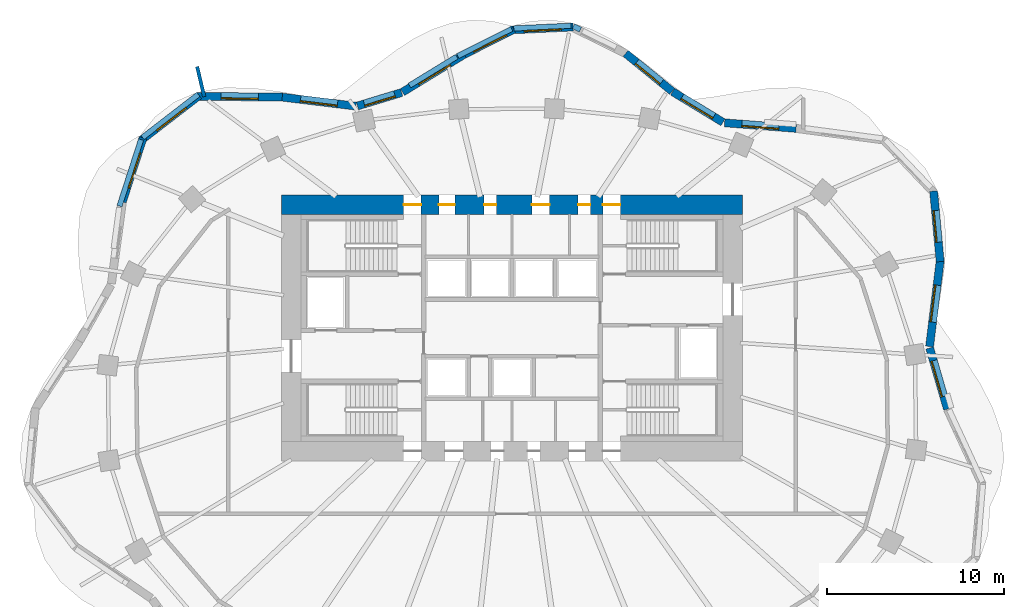
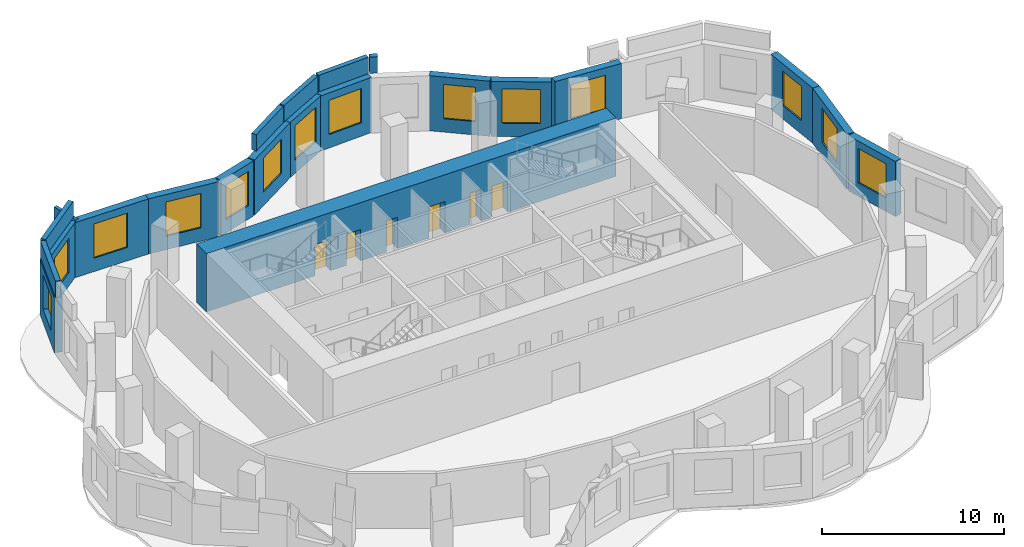
# One storey, part 6 of 8: 22 walls, 14 windows, 6 doors, 20 openings.
"""IFC4 building model written with IfcOpenShell, lengths in metres."""

from ifc_helpers import new_model, si_unit, direction, frame, frame_2d, origin, place, context, subcontext, project, spatial, rectangle, extrude, material, layer, layer_set, type_object, element, fill, save


model = new_model("IFC4")

# Units and contexts
model_context = context("Model", 3, precision=1e-05, world=origin(), true_north=direction((0.0, 1.0)))
body_context = subcontext(model_context, "Body", "Model", "MODEL_VIEW")
ifc_project = project(units=[si_unit("LENGTHUNIT", "METRE"), si_unit("AREAUNIT", "SQUARE_METRE"), si_unit("VOLUMEUNIT", "CUBIC_METRE"), si_unit("PLANEANGLEUNIT", "RADIAN"), si_unit("MASSUNIT", "GRAM", prefix="KILO")], contexts=[model_context])

# Site, building, storey
site_placement = place(None, origin())
site = spatial("IfcSite", under=ifc_project, at=site_placement, CompositionType="ELEMENT")
building_placement = place(site_placement, origin())
building = spatial("IfcBuilding", under=site, at=building_placement, Name="Rubra Terraces Tower", CompositionType="ELEMENT")
storey_placement = place(building_placement, frame((0.0, 0.0, 150.0)))
storey = spatial("IfcBuildingStorey", under=building, at=storey_placement, Name="L36", CompositionType="ELEMENT", Elevation=150.0)

# Wall, opening, window
ifc_material_1 = material(Name="Brick masonry red-brown", Category="masonry")
ifc_layer_1 = layer(ifc_material_1, 0.449951171875)
ifc_layer_set_1 = layer_set([ifc_layer_1], Name="Brick masonry red-brown")
wall_type_1 = type_object("IfcWallType", Name="Brick facade wall 450", PredefinedType="SOLIDWALL", material=ifc_layer_set_1)
wall_1_placement = place(storey_placement, frame((24.56689453125, -0.082275390625, 0.0), z_axis=(0.0, 0.0, 1.0), x_axis=(-0.279202919694, 0.960232122788, 0.0)))
wall_1 = element("IfcWall", 1, at=wall_1_placement, inside=storey, type_object=wall_type_1, Name="Facade wall L36 bay 1", PredefinedType="SOLIDWALL", context=body_context, shape_type="SweptSolid", body=[
    extrude(rectangle(XDim=3.587646484375, YDim=0.449951171875, at=frame_2d((1.7939453125, 0.0))), origin(), (0.0, 0.0, 1.0), 3.699951171875),
])
opening_1_placement = place(wall_1_placement, frame((0.743896484375, 0.0, 0.89990234375)))
opening_1 = element("IfcOpeningElement", 2, at=opening_1_placement, cuts=wall_1, Name="Opening W1B", PredefinedType="OPENING", context=body_context, shape_type="SweptSolid", body=[
    extrude(rectangle(XDim=2.10009765625, YDim=2.300048828125, at=frame_2d((1.050048828125, 1.14990234375))), frame((0.0, 0.23486328125, 0.0), z_axis=(0.0, -1.0, 0.0), x_axis=(1.0, 0.0, 0.0)), (0.0, 0.0, 1.0), 0.469970703125),
])
ifc_material_2 = material(Name="Clear glass in aluminium frame", Category="aluminium")
window_type_1 = type_object("IfcWindowType", Name="Fixed deep-set window tall storey 2100 x 2300", PartitioningType="SINGLE_PANEL", PredefinedType="WINDOW", material=ifc_material_2)
window_1_placement = place(opening_1_placement, origin())
window_1 = element("IfcWindow", 3, at=window_1_placement, inside=storey, type_object=window_type_1, Name="Window L36 bay 1", OverallHeight=2.300048828125, OverallWidth=2.10009765625, PartitioningType="SINGLE_PANEL", PredefinedType="WINDOW", context=body_context, shape_type="SweptSolid", body=[
    extrude(rectangle(XDim=2.10009765625, YDim=2.300048828125, at=frame_2d((1.050048828125, 1.14990234375))), frame((0.0, 0.135009765625, 0.0), z_axis=(0.0, -1.0, 0.0), x_axis=(1.0, 0.0, 0.0)), (0.0, 0.0, 1.0), 0.06005859375),
])
fill(opening_1, window_1)

wall_2_placement = place(storey_placement, frame((23.559814453125, 3.447021484375, 0.0), z_axis=(0.0, 0.0, 1.0), x_axis=(0.12231391248, 0.992491464353, 0.0)))
wall_2 = element("IfcWall", 4, at=wall_2_placement, inside=storey, type_object=wall_type_1, Name="Facade wall L36 bay 2", PredefinedType="SOLIDWALL", context=body_context, shape_type="SweptSolid", body=[
    extrude(rectangle(XDim=4.872314453125, YDim=0.449951171875, at=frame_2d((2.43603515625, 0.0))), origin(), (0.0, 0.0, 1.0), 3.699951171875),
])
opening_2_placement = place(wall_2_placement, frame((1.38623046875, 0.0, 0.89990234375)))
opening_2 = element("IfcOpeningElement", 5, at=opening_2_placement, cuts=wall_2, Name="Opening W1B", PredefinedType="OPENING", context=body_context, shape_type="SweptSolid", body=[
    extrude(rectangle(XDim=2.10009765625, YDim=2.300048828125, at=frame_2d((1.050048828125, 1.14990234375))), frame((0.0, 0.23486328125, 0.0), z_axis=(0.0, -1.0, 0.0), x_axis=(1.0, 0.0, 0.0)), (0.0, 0.0, 1.0), 0.469970703125),
])
window_2_placement = place(opening_2_placement, origin())
window_2 = element("IfcWindow", 6, at=window_2_placement, inside=storey, type_object=window_type_1, Name="Window L36 bay 2", OverallHeight=2.300048828125, OverallWidth=2.10009765625, PartitioningType="SINGLE_PANEL", PredefinedType="WINDOW", context=body_context, shape_type="SweptSolid", body=[
    extrude(rectangle(XDim=2.10009765625, YDim=2.300048828125, at=frame_2d((1.050048828125, 1.14990234375))), frame((0.0, 0.135009765625, 0.0), z_axis=(0.0, -1.0, 0.0), x_axis=(1.0, 0.0, 0.0)), (0.0, 0.0, 1.0), 0.06005859375),
])
fill(opening_2, window_2)

wall_3_placement = place(storey_placement, frame((24.155029296875, 8.234619140625, 0.0), z_axis=(0.0, 0.0, 1.0), x_axis=(-0.091874058945, 0.995770634882, 0.0)))
wall_3 = element("IfcWall", 7, at=wall_3_placement, inside=storey, type_object=wall_type_1, Name="Facade wall L36 bay 3", PredefinedType="SOLIDWALL", context=body_context, shape_type="SweptSolid", body=[
    extrude(rectangle(XDim=3.99658203125, YDim=0.449951171875, at=frame_2d((1.998291015625, 0.0))), origin(), (0.0, 0.0, 1.0), 3.699951171875),
])
opening_3_placement = place(wall_3_placement, frame((1.098388671875, 0.0, 0.89990234375)))
opening_3 = element("IfcOpeningElement", 8, at=opening_3_placement, cuts=wall_3, Name="Opening W6B", PredefinedType="OPENING", context=body_context, shape_type="SweptSolid", body=[
    extrude(rectangle(XDim=1.800048828125, YDim=2.300048828125, at=frame_2d((0.89990234375, 1.14990234375))), frame((0.0, 0.23486328125, 0.0), z_axis=(0.0, -1.0, 0.0), x_axis=(1.0, 0.0, 0.0)), (0.0, 0.0, 1.0), 0.469970703125),
])
window_type_2 = type_object("IfcWindowType", Name="Fixed deep-set window at wind fin tall storey 1800 x 2300", PartitioningType="SINGLE_PANEL", PredefinedType="WINDOW", material=ifc_material_2)
window_3_placement = place(opening_3_placement, origin())
window_3 = element("IfcWindow", 9, at=window_3_placement, inside=storey, type_object=window_type_2, Name="Window L36 bay 3", OverallHeight=2.300048828125, OverallWidth=1.800048828125, PartitioningType="SINGLE_PANEL", PredefinedType="WINDOW", context=body_context, shape_type="SweptSolid", body=[
    extrude(rectangle(XDim=1.800048828125, YDim=2.300048828125, at=frame_2d((0.89990234375, 1.14990234375))), frame((0.0, 0.135009765625, 0.0), z_axis=(0.0, -1.0, 0.0), x_axis=(1.0, 0.0, 0.0)), (0.0, 0.0, 1.0), 0.06005859375),
])
fill(opening_3, window_3)

wall_4_placement = place(storey_placement, frame((16.0302734375, 15.751953125, 0.0), z_axis=(0.0, 0.0, 1.0), x_axis=(-0.996967628157, 0.077817404267, 0.0)))
wall_4 = element("IfcWall", 10, at=wall_4_placement, inside=storey, type_object=wall_type_1, Name="Facade wall L36 bay 6", PredefinedType="SOLIDWALL", context=body_context, shape_type="SweptSolid", body=[
    extrude(rectangle(XDim=4.047119140625, YDim=0.449951171875, at=frame_2d((2.0234375, 0.0))), origin(), (0.0, 0.0, 1.0), 3.699951171875),
])
opening_4_placement = place(wall_4_placement, frame((0.9736328125, 0.0, 0.89990234375)))
opening_4 = element("IfcOpeningElement", 11, at=opening_4_placement, cuts=wall_4, Name="Opening W1B", PredefinedType="OPENING", context=body_context, shape_type="SweptSolid", body=[
    extrude(rectangle(XDim=2.10009765625, YDim=2.300048828125, at=frame_2d((1.050048828125, 1.14990234375))), frame((0.0, 0.23486328125, 0.0), z_axis=(0.0, -1.0, 0.0), x_axis=(1.0, 0.0, 0.0)), (0.0, 0.0, 1.0), 0.469970703125),
])
window_4_placement = place(opening_4_placement, origin())
window_4 = element("IfcWindow", 12, at=window_4_placement, inside=storey, type_object=window_type_1, Name="Window L36 bay 6", OverallHeight=2.300048828125, OverallWidth=2.10009765625, PartitioningType="SINGLE_PANEL", PredefinedType="WINDOW", context=body_context, shape_type="SweptSolid", body=[
    extrude(rectangle(XDim=2.10009765625, YDim=2.300048828125, at=frame_2d((1.050048828125, 1.14990234375))), frame((0.0, 0.135009765625, 0.0), z_axis=(0.0, -1.0, 0.0), x_axis=(1.0, 0.0, 0.0)), (0.0, 0.0, 1.0), 0.06005859375),
])
fill(opening_4, window_4)

wall_5_placement = place(storey_placement, frame((11.904541015625, 16.09619140625, 0.0), z_axis=(0.0, 0.0, 1.0), x_axis=(-0.854609476155, 0.519271261738, 0.0)))
wall_5 = element("IfcWall", 13, at=wall_5_placement, inside=storey, type_object=wall_type_1, Name="Facade wall L36 bay 7", PredefinedType="SOLIDWALL", context=body_context, shape_type="SweptSolid", body=[
    extrude(rectangle(XDim=3.324951171875, YDim=0.449951171875, at=frame_2d((1.66259765625, 0.0))), origin(), (0.0, 0.0, 1.0), 3.699951171875),
])
opening_5_placement = place(wall_5_placement, frame((0.6123046875, 0.0, 0.89990234375)))
opening_5 = element("IfcOpeningElement", 14, at=opening_5_placement, cuts=wall_5, Name="Opening W1B", PredefinedType="OPENING", context=body_context, shape_type="SweptSolid", body=[
    extrude(rectangle(XDim=2.10009765625, YDim=2.300048828125, at=frame_2d((1.050048828125, 1.14990234375))), frame((0.0, 0.23486328125, 0.0), z_axis=(0.0, -1.0, 0.0), x_axis=(1.0, 0.0, 0.0)), (0.0, 0.0, 1.0), 0.469970703125),
])
window_5_placement = place(opening_5_placement, origin())
window_5 = element("IfcWindow", 15, at=window_5_placement, inside=storey, type_object=window_type_1, Name="Window L36 bay 7", OverallHeight=2.300048828125, OverallWidth=2.10009765625, PartitioningType="SINGLE_PANEL", PredefinedType="WINDOW", context=body_context, shape_type="SweptSolid", body=[
    extrude(rectangle(XDim=2.10009765625, YDim=2.300048828125, at=frame_2d((1.050048828125, 1.14990234375))), frame((0.0, 0.135009765625, 0.0), z_axis=(0.0, -1.0, 0.0), x_axis=(1.0, 0.0, 0.0)), (0.0, 0.0, 1.0), 0.06005859375),
])
fill(opening_5, window_5)

wall_6_placement = place(storey_placement, frame((9.037109375, 17.84033203125, 0.0), z_axis=(0.0, 0.0, 1.0), x_axis=(-0.774810240287, 0.632193871804, 0.0)))
wall_6 = element("IfcWall", 16, at=wall_6_placement, inside=storey, type_object=wall_type_1, Name="Facade wall L36 bay 8", PredefinedType="SOLIDWALL", context=body_context, shape_type="SweptSolid", body=[
    extrude(rectangle(XDim=3.389404296875, YDim=0.449951171875, at=frame_2d((1.69482421875, 0.0))), origin(), (0.0, 0.0, 1.0), 3.699951171875),
])
opening_6_placement = place(wall_6_placement, frame((0.794677734375, 0.0, 0.89990234375)))
opening_6 = element("IfcOpeningElement", 17, at=opening_6_placement, cuts=wall_6, Name="Opening W6B", PredefinedType="OPENING", context=body_context, shape_type="SweptSolid", body=[
    extrude(rectangle(XDim=1.800048828125, YDim=2.300048828125, at=frame_2d((0.89990234375, 1.14990234375))), frame((0.0, 0.23486328125, 0.0), z_axis=(0.0, -1.0, 0.0), x_axis=(1.0, 0.0, 0.0)), (0.0, 0.0, 1.0), 0.469970703125),
])
window_6_placement = place(opening_6_placement, origin())
window_6 = element("IfcWindow", 18, at=window_6_placement, inside=storey, type_object=window_type_2, Name="Window L36 bay 8", OverallHeight=2.300048828125, OverallWidth=1.800048828125, PartitioningType="SINGLE_PANEL", PredefinedType="WINDOW", context=body_context, shape_type="SweptSolid", body=[
    extrude(rectangle(XDim=1.800048828125, YDim=2.300048828125, at=frame_2d((0.89990234375, 1.14990234375))), frame((0.0, 0.135009765625, 0.0), z_axis=(0.0, -1.0, 0.0), x_axis=(1.0, 0.0, 0.0)), (0.0, 0.0, 1.0), 0.06005859375),
])
fill(opening_6, window_6)

wall_7_placement = place(storey_placement, frame((3.447509765625, 21.47314453125, 0.0), z_axis=(0.0, 0.0, 1.0), x_axis=(-0.998906179907, -0.046759424106, 0.0)))
wall_7 = element("IfcWall", 19, at=wall_7_placement, inside=storey, type_object=wall_type_1, Name="Facade wall L36 bay 10", PredefinedType="SOLIDWALL", context=body_context, shape_type="SweptSolid", body=[
    extrude(rectangle(XDim=3.440673828125, YDim=0.449951171875, at=frame_2d((1.72021484375, 0.0))), origin(), (0.0, 0.0, 1.0), 3.699951171875),
])
opening_7_placement = place(wall_7_placement, frame((0.67041015625, 0.0, 0.89990234375)))
opening_7 = element("IfcOpeningElement", 20, at=opening_7_placement, cuts=wall_7, Name="Opening W1B", PredefinedType="OPENING", context=body_context, shape_type="SweptSolid", body=[
    extrude(rectangle(XDim=2.10009765625, YDim=2.300048828125, at=frame_2d((1.050048828125, 1.14990234375))), frame((0.0, 0.23486328125, 0.0), z_axis=(0.0, -1.0, 0.0), x_axis=(1.0, 0.0, 0.0)), (0.0, 0.0, 1.0), 0.469970703125),
])
window_7_placement = place(opening_7_placement, origin())
window_7 = element("IfcWindow", 21, at=window_7_placement, inside=storey, type_object=window_type_1, Name="Window L36 bay 10", OverallHeight=2.300048828125, OverallWidth=2.10009765625, PartitioningType="SINGLE_PANEL", PredefinedType="WINDOW", context=body_context, shape_type="SweptSolid", body=[
    extrude(rectangle(XDim=2.10009765625, YDim=2.300048828125, at=frame_2d((1.050048828125, 1.14990234375))), frame((0.0, 0.135009765625, 0.0), z_axis=(0.0, -1.0, 0.0), x_axis=(1.0, 0.0, 0.0)), (0.0, 0.0, 1.0), 0.06005859375),
])
fill(opening_7, window_7)

wall_8_placement = place(storey_placement, frame((0.10107421875, 21.3359375, 0.0), z_axis=(0.0, 0.0, 1.0), x_axis=(-0.893517109669, -0.449029146859, 0.0)))
wall_8 = element("IfcWall", 22, at=wall_8_placement, inside=storey, type_object=wall_type_1, Name="Facade wall L36 bay 11", PredefinedType="SOLIDWALL", context=body_context, shape_type="SweptSolid", body=[
    extrude(rectangle(XDim=3.1181640625, YDim=0.449951171875, at=frame_2d((1.55908203125, 0.0))), origin(), (0.0, 0.0, 1.0), 3.699951171875),
])
opening_8_placement = place(wall_8_placement, frame((0.509033203125, 0.0, 0.89990234375)))
opening_8 = element("IfcOpeningElement", 23, at=opening_8_placement, cuts=wall_8, Name="Opening W1B", PredefinedType="OPENING", context=body_context, shape_type="SweptSolid", body=[
    extrude(rectangle(XDim=2.10009765625, YDim=2.300048828125, at=frame_2d((1.050048828125, 1.14990234375))), frame((0.0, 0.23486328125, 0.0), z_axis=(0.0, -1.0, 0.0), x_axis=(1.0, 0.0, 0.0)), (0.0, 0.0, 1.0), 0.469970703125),
])
window_8_placement = place(opening_8_placement, origin())
window_8 = element("IfcWindow", 24, at=window_8_placement, inside=storey, type_object=window_type_1, Name="Window L36 bay 11", OverallHeight=2.300048828125, OverallWidth=2.10009765625, PartitioningType="SINGLE_PANEL", PredefinedType="WINDOW", context=body_context, shape_type="SweptSolid", body=[
    extrude(rectangle(XDim=2.10009765625, YDim=2.300048828125, at=frame_2d((1.050048828125, 1.14990234375))), frame((0.0, 0.135009765625, 0.0), z_axis=(0.0, -1.0, 0.0), x_axis=(1.0, 0.0, 0.0)), (0.0, 0.0, 1.0), 0.06005859375),
])
fill(opening_8, window_8)

wall_9_placement = place(storey_placement, frame((-2.668701171875, 19.945068359375, 0.0), z_axis=(0.0, 0.0, 1.0), x_axis=(-0.852919259017, -0.522042850346, 0.0)))
wall_9 = element("IfcWall", 25, at=wall_9_placement, inside=storey, type_object=wall_type_1, Name="Facade wall L36 bay 12", PredefinedType="SOLIDWALL", context=body_context, shape_type="SweptSolid", body=[
    extrude(rectangle(XDim=4.113525390625, YDim=0.449951171875, at=frame_2d((2.056640625, 0.0))), origin(), (0.0, 0.0, 1.0), 3.699951171875),
])
opening_9_placement = place(wall_9_placement, frame((1.0068359375, 0.0, 0.89990234375)))
opening_9 = element("IfcOpeningElement", 26, at=opening_9_placement, cuts=wall_9, Name="Opening W1B", PredefinedType="OPENING", context=body_context, shape_type="SweptSolid", body=[
    extrude(rectangle(XDim=2.10009765625, YDim=2.300048828125, at=frame_2d((1.050048828125, 1.14990234375))), frame((0.0, 0.23486328125, 0.0), z_axis=(0.0, -1.0, 0.0), x_axis=(1.0, 0.0, 0.0)), (0.0, 0.0, 1.0), 0.469970703125),
])
window_9_placement = place(opening_9_placement, origin())
window_9 = element("IfcWindow", 27, at=window_9_placement, inside=storey, type_object=window_type_1, Name="Window L36 bay 12", OverallHeight=2.300048828125, OverallWidth=2.10009765625, PartitioningType="SINGLE_PANEL", PredefinedType="WINDOW", context=body_context, shape_type="SweptSolid", body=[
    extrude(rectangle(XDim=2.10009765625, YDim=2.300048828125, at=frame_2d((1.050048828125, 1.14990234375))), frame((0.0, 0.135009765625, 0.0), z_axis=(0.0, -1.0, 0.0), x_axis=(1.0, 0.0, 0.0)), (0.0, 0.0, 1.0), 0.06005859375),
])
fill(opening_9, window_9)

wall_10_placement = place(storey_placement, frame((-6.229248046875, 17.774169921875, 0.0), z_axis=(0.0, 0.0, 1.0), x_axis=(-0.95663749396, -0.291281144515, 0.0)))
wall_10 = element("IfcWall", 28, at=wall_10_placement, inside=storey, type_object=wall_type_1, Name="Facade wall L36 bay 13", PredefinedType="SOLIDWALL", context=body_context, shape_type="SweptSolid", body=[
    extrude(rectangle(XDim=2.600830078125, YDim=0.449951171875, at=frame_2d((1.30029296875, 0.0))), origin(), (0.0, 0.0, 1.0), 3.699951171875),
])
opening_10_placement = place(wall_10_placement, frame((0.400390625, 0.0, 0.89990234375)))
opening_10 = element("IfcOpeningElement", 29, at=opening_10_placement, cuts=wall_10, Name="Opening W6B", PredefinedType="OPENING", context=body_context, shape_type="SweptSolid", body=[
    extrude(rectangle(XDim=1.800048828125, YDim=2.300048828125, at=frame_2d((0.89990234375, 1.14990234375))), frame((0.0, 0.23486328125, 0.0), z_axis=(0.0, -1.0, 0.0), x_axis=(1.0, 0.0, 0.0)), (0.0, 0.0, 1.0), 0.469970703125),
])
window_10_placement = place(opening_10_placement, origin())
window_10 = element("IfcWindow", 30, at=window_10_placement, inside=storey, type_object=window_type_2, Name="Window L36 bay 13", OverallHeight=2.300048828125, OverallWidth=1.800048828125, PartitioningType="SINGLE_PANEL", PredefinedType="WINDOW", context=body_context, shape_type="SweptSolid", body=[
    extrude(rectangle(XDim=1.800048828125, YDim=2.300048828125, at=frame_2d((0.89990234375, 1.14990234375))), frame((0.0, 0.135009765625, 0.0), z_axis=(0.0, -1.0, 0.0), x_axis=(1.0, 0.0, 0.0)), (0.0, 0.0, 1.0), 0.06005859375),
])
fill(opening_10, window_10)

wall_11_placement = place(storey_placement, frame((-8.806884765625, 17.00830078125, 0.0), z_axis=(0.0, 0.0, 1.0), x_axis=(-0.992654419289, 0.120984312483, 0.0)))
wall_11 = element("IfcWall", 31, at=wall_11_placement, inside=storey, type_object=wall_type_1, Name="Facade wall L36 bay 14", PredefinedType="SOLIDWALL", context=body_context, shape_type="SweptSolid", body=[
    extrude(rectangle(XDim=4.187255859375, YDim=0.449951171875, at=frame_2d((2.09375, 0.0))), origin(), (0.0, 0.0, 1.0), 3.699951171875),
])
opening_11_placement = place(wall_11_placement, frame((1.043701171875, 0.0, 0.89990234375)))
opening_11 = element("IfcOpeningElement", 32, at=opening_11_placement, cuts=wall_11, Name="Opening W1B", PredefinedType="OPENING", context=body_context, shape_type="SweptSolid", body=[
    extrude(rectangle(XDim=2.10009765625, YDim=2.300048828125, at=frame_2d((1.050048828125, 1.14990234375))), frame((0.0, 0.23486328125, 0.0), z_axis=(0.0, -1.0, 0.0), x_axis=(1.0, 0.0, 0.0)), (0.0, 0.0, 1.0), 0.469970703125),
])
window_11_placement = place(opening_11_placement, origin())
window_11 = element("IfcWindow", 33, at=window_11_placement, inside=storey, type_object=window_type_1, Name="Window L36 bay 14", OverallHeight=2.300048828125, OverallWidth=2.10009765625, PartitioningType="SINGLE_PANEL", PredefinedType="WINDOW", context=body_context, shape_type="SweptSolid", body=[
    extrude(rectangle(XDim=2.10009765625, YDim=2.300048828125, at=frame_2d((1.050048828125, 1.14990234375))), frame((0.0, 0.135009765625, 0.0), z_axis=(0.0, -1.0, 0.0), x_axis=(1.0, 0.0, 0.0)), (0.0, 0.0, 1.0), 0.06005859375),
])
fill(opening_11, window_11)

wall_12_placement = place(storey_placement, frame((-12.93896484375, 17.513671875, 0.0), z_axis=(0.0, 0.0, 1.0), x_axis=(-0.999950280333, 0.00997180335, 0.0)))
wall_12 = element("IfcWall", 34, at=wall_12_placement, inside=storey, type_object=wall_type_1, Name="Facade wall L36 bay 15", PredefinedType="SOLIDWALL", context=body_context, shape_type="SweptSolid", body=[
    extrude(rectangle(XDim=4.84765625, YDim=0.449951171875, at=frame_2d((2.423828125, 0.0))), origin(), (0.0, 0.0, 1.0), 3.699951171875),
])
opening_12_placement = place(wall_12_placement, frame((1.373779296875, 0.0, 0.89990234375)))
opening_12 = element("IfcOpeningElement", 35, at=opening_12_placement, cuts=wall_12, Name="Opening W1B", PredefinedType="OPENING", context=body_context, shape_type="SweptSolid", body=[
    extrude(rectangle(XDim=2.10009765625, YDim=2.300048828125, at=frame_2d((1.050048828125, 1.14990234375))), frame((0.0, 0.23486328125, 0.0), z_axis=(0.0, -1.0, 0.0), x_axis=(1.0, 0.0, 0.0)), (0.0, 0.0, 1.0), 0.469970703125),
])
window_12_placement = place(opening_12_placement, origin())
window_12 = element("IfcWindow", 36, at=window_12_placement, inside=storey, type_object=window_type_1, Name="Window L36 bay 15", OverallHeight=2.300048828125, OverallWidth=2.10009765625, PartitioningType="SINGLE_PANEL", PredefinedType="WINDOW", context=body_context, shape_type="SweptSolid", body=[
    extrude(rectangle(XDim=2.10009765625, YDim=2.300048828125, at=frame_2d((1.050048828125, 1.14990234375))), frame((0.0, 0.135009765625, 0.0), z_axis=(0.0, -1.0, 0.0), x_axis=(1.0, 0.0, 0.0)), (0.0, 0.0, 1.0), 0.06005859375),
])
fill(opening_12, window_12)

wall_13_placement = place(storey_placement, frame((-17.6494140625, 17.60888671875, 0.0), z_axis=(0.0, 0.0, 1.0), x_axis=(-0.791693388686, -0.610918634771, 0.0)))
wall_13 = element("IfcWall", 37, at=wall_13_placement, inside=storey, type_object=wall_type_1, Name="Facade wall L36 bay 16", PredefinedType="SOLIDWALL", context=body_context, shape_type="SweptSolid", body=[
    extrude(rectangle(XDim=4.10009765625, YDim=0.449951171875, at=frame_2d((2.050048828125, 0.0))), origin(), (0.0, 0.0, 1.0), 3.699951171875),
])
opening_13_placement = place(wall_13_placement, frame((1.0, 0.0, 0.89990234375)))
opening_13 = element("IfcOpeningElement", 38, at=opening_13_placement, cuts=wall_13, Name="Opening W1B", PredefinedType="OPENING", context=body_context, shape_type="SweptSolid", body=[
    extrude(rectangle(XDim=2.10009765625, YDim=2.300048828125, at=frame_2d((1.050048828125, 1.14990234375))), frame((0.0, 0.23486328125, 0.0), z_axis=(0.0, -1.0, 0.0), x_axis=(1.0, 0.0, 0.0)), (0.0, 0.0, 1.0), 0.469970703125),
])
window_13_placement = place(opening_13_placement, origin())
window_13 = element("IfcWindow", 39, at=window_13_placement, inside=storey, type_object=window_type_1, Name="Window L36 bay 16", OverallHeight=2.300048828125, OverallWidth=2.10009765625, PartitioningType="SINGLE_PANEL", PredefinedType="WINDOW", context=body_context, shape_type="SweptSolid", body=[
    extrude(rectangle(XDim=2.10009765625, YDim=2.300048828125, at=frame_2d((1.050048828125, 1.14990234375))), frame((0.0, 0.135009765625, 0.0), z_axis=(0.0, -1.0, 0.0), x_axis=(1.0, 0.0, 0.0)), (0.0, 0.0, 1.0), 0.06005859375),
])
fill(opening_13, window_13)

wall_14_placement = place(storey_placement, frame((-20.819091796875, 15.212646484375, 0.0), z_axis=(0.0, 0.0, 1.0), x_axis=(-0.308282259578, -0.95129493241, 0.0)))
wall_14 = element("IfcWall", 40, at=wall_14_placement, inside=storey, type_object=wall_type_1, Name="Facade wall L36 bay 17", PredefinedType="SOLIDWALL", context=body_context, shape_type="SweptSolid", body=[
    extrude(rectangle(XDim=3.78466796875, YDim=0.449951171875, at=frame_2d((1.892333984375, 0.0))), origin(), (0.0, 0.0, 1.0), 3.699951171875),
])
opening_14_placement = place(wall_14_placement, frame((0.84228515625, 0.0, 0.89990234375)))
opening_14 = element("IfcOpeningElement", 41, at=opening_14_placement, cuts=wall_14, Name="Opening W1B", PredefinedType="OPENING", context=body_context, shape_type="SweptSolid", body=[
    extrude(rectangle(XDim=2.10009765625, YDim=2.300048828125, at=frame_2d((1.050048828125, 1.14990234375))), frame((0.0, 0.23486328125, 0.0), z_axis=(0.0, -1.0, 0.0), x_axis=(1.0, 0.0, 0.0)), (0.0, 0.0, 1.0), 0.469970703125),
])
window_14_placement = place(opening_14_placement, origin())
window_14 = element("IfcWindow", 42, at=window_14_placement, inside=storey, type_object=window_type_1, Name="Window L36 bay 17", OverallHeight=2.300048828125, OverallWidth=2.10009765625, PartitioningType="SINGLE_PANEL", PredefinedType="WINDOW", context=body_context, shape_type="SweptSolid", body=[
    extrude(rectangle(XDim=2.10009765625, YDim=2.300048828125, at=frame_2d((1.050048828125, 1.14990234375))), frame((0.0, 0.135009765625, 0.0), z_axis=(0.0, -1.0, 0.0), x_axis=(1.0, 0.0, 0.0)), (0.0, 0.0, 1.0), 0.06005859375),
])
fill(opening_14, window_14)

# Walls
ifc_layer_2 = layer(ifc_material_1, 0.300048828125)
ifc_layer_set_2 = layer_set([ifc_layer_2], Name="Brick masonry red-brown")
wall_type_2 = type_object("IfcWallType", Name="Brick parapet 300", PredefinedType="PARAPET", material=ifc_layer_set_2)
wall_15_placement = place(storey_placement, frame((3.864501953125, 21.319580078125, 3.89990234375), z_axis=(0.0, 0.0, 1.0), x_axis=(-0.896619334778, 0.442802177617, 0.0)))
element("IfcWall", 43, at=wall_15_placement, inside=storey, type_object=wall_type_2, Name="Parapet L36 bay 9", PredefinedType="PARAPET", context=body_context, shape_type="SweptSolid", body=[
    extrude(rectangle(XDim=0.443359375, YDim=0.300048828125, at=frame_2d((0.2216796875, 0.0))), origin(), (0.0, 0.0, 1.0), 1.10009765625),
])
wall_16_placement = place(storey_placement, frame((3.336669921875, 21.543212890625, 3.89990234375), z_axis=(0.0, 0.0, 1.0), x_axis=(-0.998904330634, -0.046798912812, 0.0)))
element("IfcWall", 44, at=wall_16_placement, inside=storey, type_object=wall_type_2, Name="Parapet L36 bay 10", PredefinedType="PARAPET", context=body_context, shape_type="SweptSolid", body=[
    extrude(rectangle(XDim=3.23974609375, YDim=0.300048828125, at=frame_2d((1.619873046875, 0.0))), origin(), (0.0, 0.0, 1.0), 1.10009765625),
])
wall_17_placement = place(storey_placement, frame((-0.016357421875, 21.36083984375, 3.89990234375), z_axis=(0.0, 0.0, 1.0), x_axis=(-0.893520711687, -0.44902197918, 0.0)))
element("IfcWall", 45, at=wall_17_placement, inside=storey, type_object=wall_type_2, Name="Parapet L36 bay 11", PredefinedType="PARAPET", context=body_context, shape_type="SweptSolid", body=[
    extrude(rectangle(XDim=3.400390625, YDim=0.300048828125, at=frame_2d((1.7001953125, 0.0))), origin(), (0.0, 0.0, 1.0), 1.10009765625),
])
wall_18_placement = place(storey_placement, frame((-3.117919921875, 19.798828125, 3.89990234375), z_axis=(0.0, 0.0, 1.0), x_axis=(-0.852922319554, -0.522037849975, 0.0)))
element("IfcWall", 46, at=wall_18_placement, inside=storey, type_object=wall_type_2, Name="Parapet L36 bay 12", PredefinedType="PARAPET", context=body_context, shape_type="SweptSolid", body=[
    extrude(rectangle(XDim=3.1240234375, YDim=0.300048828125, at=frame_2d((1.56201171875, 0.0))), origin(), (0.0, 0.0, 1.0), 1.10009765625),
])
wall_19_placement = place(storey_placement, frame((-17.697998046875, 17.666259765625, 3.89990234375), z_axis=(0.0, 0.0, 1.0), x_axis=(-0.791652356246, -0.610971805282, 0.0)))
element("IfcWall", 47, at=wall_19_placement, inside=storey, type_object=wall_type_2, Name="Parapet L36 bay 16", PredefinedType="PARAPET", context=body_context, shape_type="SweptSolid", body=[
    extrude(rectangle(XDim=3.973876953125, YDim=0.300048828125, at=frame_2d((1.98681640625, 0.0))), origin(), (0.0, 0.0, 1.0), 1.10009765625),
])
wall_20_placement = place(storey_placement, frame((-20.92822265625, 15.118896484375, 3.89990234375), z_axis=(0.0, 0.0, 1.0), x_axis=(-0.30831369753, -0.951284743868, 0.0)))
element("IfcWall", 48, at=wall_20_placement, inside=storey, type_object=wall_type_2, Name="Parapet L36 bay 17", PredefinedType="PARAPET", context=body_context, shape_type="SweptSolid", body=[
    extrude(rectangle(XDim=3.938720703125, YDim=0.300048828125, at=frame_2d((1.96923828125, 0.0))), origin(), (0.0, 0.0, 1.0), 1.10009765625),
])
ifc_layer_3 = layer(ifc_material_1, 0.199951171875)
ifc_layer_set_3 = layer_set([ifc_layer_3], Name="Brick masonry red-brown")
wall_type_3 = type_object("IfcWallType", Name="Brick wind fin 200", PredefinedType="SOLIDWALL", material=ifc_layer_set_3)
wall_21_placement = place(storey_placement, frame((-17.362060546875, 17.5380859375, 0.0), z_axis=(0.0, 0.0, 1.0), x_axis=(-0.230469860183, 0.973079464148, 0.0)))
element("IfcWall", 49, at=wall_21_placement, inside=storey, type_object=wall_type_3, Name="Wind fin L36 8", PredefinedType="SOLIDWALL", context=body_context, shape_type="SweptSolid", body=[
    extrude(rectangle(XDim=1.75, YDim=0.199951171875, at=frame_2d((0.875, 0.0))), origin(), (0.0, 0.0, 1.0), 3.699951171875),
])

# Wall, openings, doors
ifc_material_3 = material(Name="Concrete C60", Category="concrete")
ifc_layer_4 = layer(ifc_material_3, 1.10009765625)
ifc_layer_set_4 = layer_set([ifc_layer_4], Name="Concrete C60")
wall_type_4 = type_object("IfcWallType", Name="CORE WALL 1100 C60", PredefinedType="SHEAR", material=ifc_layer_set_4)
wall_22_placement = place(storey_placement, frame((-13.0, 11.449951171875, 0.0), z_axis=(0.0, 0.0, 1.0), x_axis=(1.0, 0.0, 0.0)))
wall_22 = element("IfcWall", 50, at=wall_22_placement, inside=storey, type_object=wall_type_4, Name="CORE WALL N L36", PredefinedType="SHEAR", context=body_context, shape_type="SweptSolid", body=[
    extrude(rectangle(XDim=26.0, YDim=1.10009765625, at=frame_2d((13.0, 0.0))), origin(), (0.0, 0.0, 1.0), 3.89990234375),
])
opening_15_placement = place(wall_22_placement, frame((8.875, 0.0, 0.0)))
opening_15 = element("IfcOpeningElement", 51, at=opening_15_placement, cuts=wall_22, Name="Opening L36.C19", PredefinedType="OPENING", context=body_context, shape_type="SweptSolid", body=[
    extrude(rectangle(XDim=0.89990234375, YDim=2.10009765625, at=frame_2d((0.449951171875, 1.050048828125))), frame((0.0, 0.56005859375, 0.0), z_axis=(0.0, -1.0, 0.0), x_axis=(1.0, 0.0, 0.0)), (0.0, 0.0, 1.0), 1.1201171875),
])
opening_16_placement = place(wall_22_placement, frame((11.425048828125, 0.0, 0.0)))
opening_16 = element("IfcOpeningElement", 52, at=opening_16_placement, cuts=wall_22, Name="Opening L36.C20", PredefinedType="OPENING", context=body_context, shape_type="SweptSolid", body=[
    extrude(rectangle(XDim=0.699951171875, YDim=2.10009765625, at=frame_2d((0.35009765625, 1.050048828125))), frame((0.0, 0.56005859375, 0.0), z_axis=(0.0, -1.0, 0.0), x_axis=(1.0, 0.0, 0.0)), (0.0, 0.0, 1.0), 1.1201171875),
])
opening_17_placement = place(wall_22_placement, frame((14.125, 0.0, 0.0)))
opening_17 = element("IfcOpeningElement", 53, at=opening_17_placement, cuts=wall_22, Name="Opening L36.C21", PredefinedType="OPENING", context=body_context, shape_type="SweptSolid", body=[
    extrude(rectangle(XDim=1.0, YDim=2.10009765625, at=frame_2d((0.5, 1.050048828125))), frame((0.0, 0.56005859375, 0.0), z_axis=(0.0, -1.0, 0.0), x_axis=(1.0, 0.0, 0.0)), (0.0, 0.0, 1.0), 1.1201171875),
])
opening_18_placement = place(wall_22_placement, frame((16.72509765625, 0.0, 0.0)))
opening_18 = element("IfcOpeningElement", 54, at=opening_18_placement, cuts=wall_22, Name="Opening L36.C22", PredefinedType="OPENING", context=body_context, shape_type="SweptSolid", body=[
    extrude(rectangle(XDim=0.699951171875, YDim=2.10009765625, at=frame_2d((0.35009765625, 1.050048828125))), frame((0.0, 0.56005859375, 0.0), z_axis=(0.0, -1.0, 0.0), x_axis=(1.0, 0.0, 0.0)), (0.0, 0.0, 1.0), 1.1201171875),
])
opening_19_placement = place(wall_22_placement, frame((6.8798828125, 0.0, 0.0)))
opening_19 = element("IfcOpeningElement", 55, at=opening_19_placement, cuts=wall_22, Name="Opening L36.C24", PredefinedType="OPENING", context=body_context, shape_type="SweptSolid", body=[
    extrude(rectangle(XDim=1.0, YDim=2.10009765625, at=frame_2d((0.5, 1.050048828125))), frame((0.0, 0.56005859375, 0.0), z_axis=(0.0, -1.0, 0.0), x_axis=(1.0, 0.0, 0.0)), (0.0, 0.0, 1.0), 1.1201171875),
])
opening_20_placement = place(wall_22_placement, frame((18.1201171875, 0.0, 0.0)))
opening_20 = element("IfcOpeningElement", 56, at=opening_20_placement, cuts=wall_22, Name="Opening L36.C25", PredefinedType="OPENING", context=body_context, shape_type="SweptSolid", body=[
    extrude(rectangle(XDim=1.0, YDim=2.10009765625, at=frame_2d((0.5, 1.050048828125))), frame((0.0, 0.56005859375, 0.0), z_axis=(0.0, -1.0, 0.0), x_axis=(1.0, 0.0, 0.0)), (0.0, 0.0, 1.0), 1.1201171875),
])
ifc_material_4 = material(Name="Painted steel", Category="steel")
door_type_1 = type_object("IfcDoorType", Name="Fire door 1000x2100 single", OperationType="NOTDEFINED", PredefinedType="DOOR", material=ifc_material_4)
door_1_placement = place(opening_17_placement, origin())
door_1 = element("IfcDoor", 57, at=door_1_placement, inside=storey, type_object=door_type_1, Name="General store door", OperationType="SINGLE_SWING_LEFT", OverallHeight=2.10009765625, OverallWidth=1.0, PredefinedType="DOOR", context=body_context, shape_type="SweptSolid", body=[
    extrude(rectangle(XDim=1.0, YDim=2.10009765625, at=frame_2d((0.5, 1.050048828125))), frame((0.0, 0.02490234375, 0.0), z_axis=(0.0, -1.0, 0.0), x_axis=(1.0, 0.0, 0.0)), (0.0, 0.0, 1.0), 0.050048828125),
])
fill(opening_17, door_1)
door_2_placement = place(opening_19_placement, origin())
door_2 = element("IfcDoor", 58, at=door_2_placement, inside=storey, type_object=door_type_1, Name="Stair S2 refuge door", OperationType="SINGLE_SWING_RIGHT", OverallHeight=2.10009765625, OverallWidth=1.0, PredefinedType="DOOR", context=body_context, shape_type="SweptSolid", body=[
    extrude(rectangle(XDim=1.0, YDim=2.10009765625, at=frame_2d((0.5, 1.050048828125))), frame((0.0, 0.02490234375, 0.0), z_axis=(0.0, -1.0, 0.0), x_axis=(1.0, 0.0, 0.0)), (0.0, 0.0, 1.0), 0.050048828125),
])
fill(opening_19, door_2)
door_3_placement = place(opening_20_placement, origin())
door_3 = element("IfcDoor", 59, at=door_3_placement, inside=storey, type_object=door_type_1, Name="Stair S3 refuge door", OperationType="SINGLE_SWING_LEFT", OverallHeight=2.10009765625, OverallWidth=1.0, PredefinedType="DOOR", context=body_context, shape_type="SweptSolid", body=[
    extrude(rectangle(XDim=1.0, YDim=2.10009765625, at=frame_2d((0.5, 1.050048828125))), frame((0.0, 0.02490234375, 0.0), z_axis=(0.0, -1.0, 0.0), x_axis=(1.0, 0.0, 0.0)), (0.0, 0.0, 1.0), 0.050048828125),
])
fill(opening_20, door_3)
door_type_2 = type_object("IfcDoorType", Name="Fire door 900x2100 single", OperationType="NOTDEFINED", PredefinedType="DOOR", material=ifc_material_4)
door_4_placement = place(opening_15_placement, origin())
door_4 = element("IfcDoor", 60, at=door_4_placement, inside=storey, type_object=door_type_2, Name="Cleaner's store door", OperationType="SINGLE_SWING_LEFT", OverallHeight=2.10009765625, OverallWidth=0.89990234375, PredefinedType="DOOR", context=body_context, shape_type="SweptSolid", body=[
    extrude(rectangle(XDim=0.89990234375, YDim=2.10009765625, at=frame_2d((0.449951171875, 1.050048828125))), frame((0.0, 0.02490234375, 0.0), z_axis=(0.0, -1.0, 0.0), x_axis=(1.0, 0.0, 0.0)), (0.0, 0.0, 1.0), 0.050048828125),
])
fill(opening_15, door_4)
door_type_3 = type_object("IfcDoorType", Name="Riser access door 700x2100 single", OperationType="NOTDEFINED", PredefinedType="DOOR", material=ifc_material_4)
door_5_placement = place(opening_16_placement, origin())
door_5 = element("IfcDoor", 61, at=door_5_placement, inside=storey, type_object=door_type_3, Name="Telecoms room door", OperationType="SINGLE_SWING_RIGHT", OverallHeight=2.10009765625, OverallWidth=0.699951171875, PredefinedType="DOOR", context=body_context, shape_type="SweptSolid", body=[
    extrude(rectangle(XDim=0.699951171875, YDim=2.10009765625, at=frame_2d((0.35009765625, 1.050048828125))), frame((0.0, 0.02490234375, 0.0), z_axis=(0.0, -1.0, 0.0), x_axis=(1.0, 0.0, 0.0)), (0.0, 0.0, 1.0), 0.050048828125),
])
fill(opening_16, door_5)
door_6_placement = place(opening_18_placement, origin())
door_6 = element("IfcDoor", 62, at=door_6_placement, inside=storey, type_object=door_type_3, Name="Mechanical riser (water and drainage) door", OperationType="SINGLE_SWING_RIGHT", OverallHeight=2.10009765625, OverallWidth=0.699951171875, PredefinedType="DOOR", context=body_context, shape_type="SweptSolid", body=[
    extrude(rectangle(XDim=0.699951171875, YDim=2.10009765625, at=frame_2d((0.35009765625, 1.050048828125))), frame((0.0, 0.02490234375, 0.0), z_axis=(0.0, -1.0, 0.0), x_axis=(1.0, 0.0, 0.0)), (0.0, 0.0, 1.0), 0.050048828125),
])
fill(opening_18, door_6)

save(model, "model.ifc")
